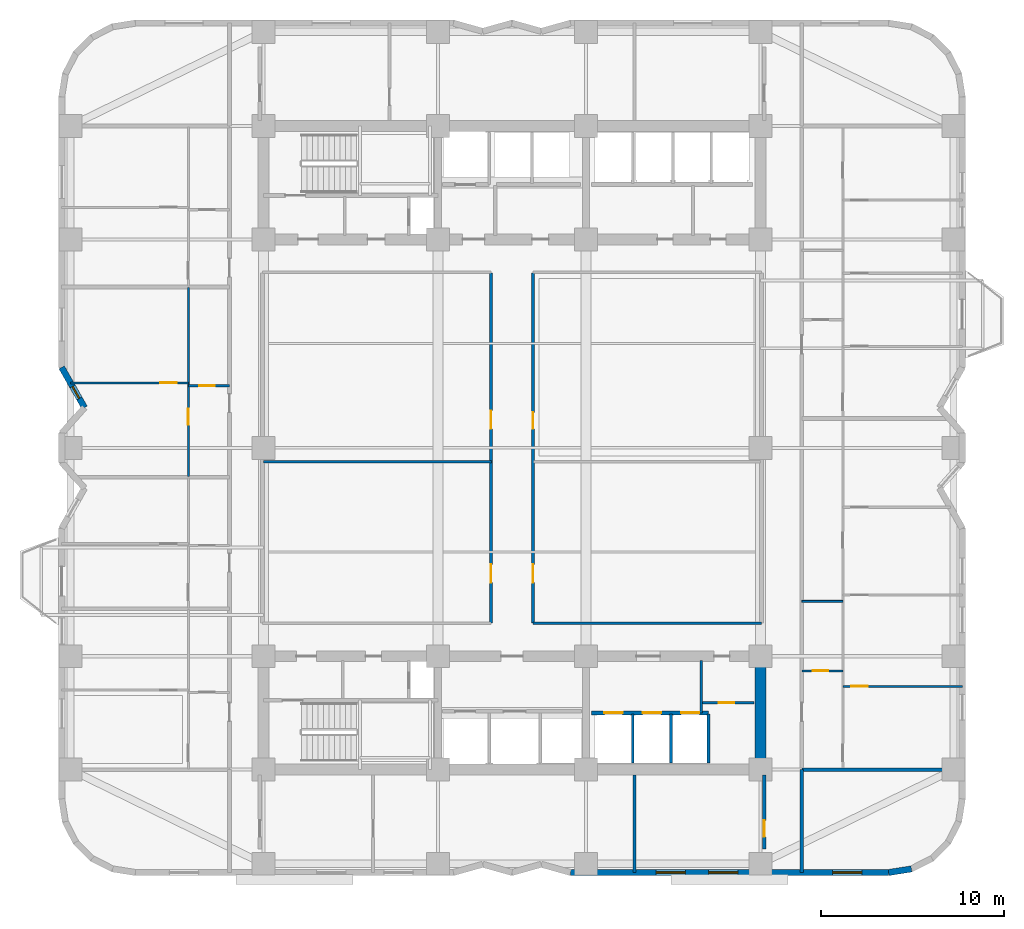
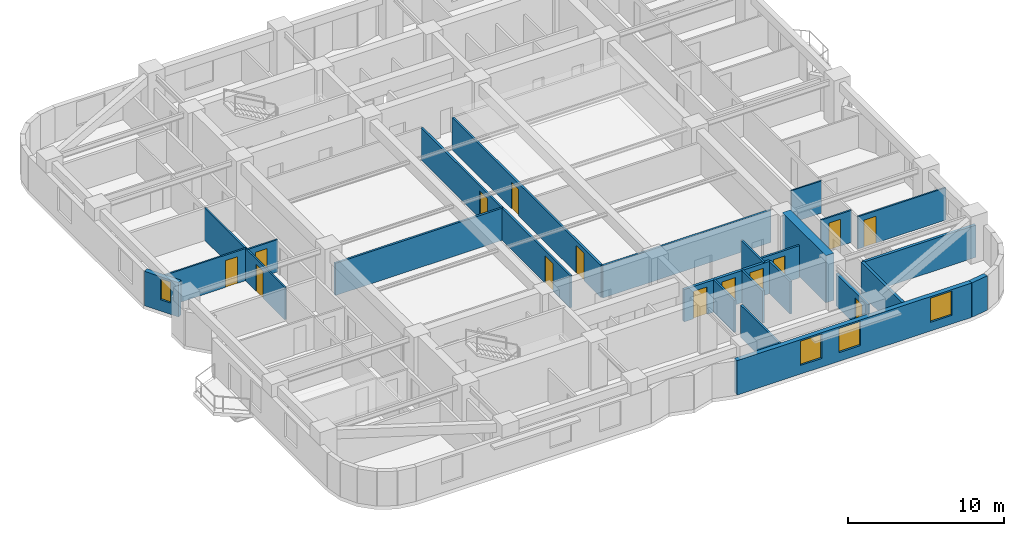
# One storey, part 4 of 9: 24 walls, 14 doors, 4 windows, 18 openings.
"""IFC4 building model written with IfcOpenShell, lengths in metres."""

from ifc_helpers import new_model, si_unit, direction, frame, frame_2d, origin, place, context, subcontext, project, spatial, rectangle, extrude, material, layer, layer_set, type_object, element, fill, save


model = new_model("IFC4")

# Units and contexts
model_context = context("Model", 3, precision=1e-05, world=origin(), true_north=direction((0.0, 1.0)))
body_context = subcontext(model_context, "Body", "Model", "MODEL_VIEW")
ifc_project = project(units=[si_unit("LENGTHUNIT", "METRE"), si_unit("AREAUNIT", "SQUARE_METRE"), si_unit("VOLUMEUNIT", "CUBIC_METRE"), si_unit("PLANEANGLEUNIT", "RADIAN"), si_unit("MASSUNIT", "GRAM", prefix="KILO")], contexts=[model_context])

# Site, building, storey
site_placement = place(None, origin())
site = spatial("IfcSite", under=ifc_project, at=site_placement, CompositionType="ELEMENT")
building_placement = place(site_placement, origin())
building = spatial("IfcBuilding", under=site, at=building_placement, Name="Svetorya Sky Lyceum", CompositionType="ELEMENT")
storey_placement = place(building_placement, frame((0.0, 0.0, 47.300048828125)))
storey = spatial("IfcBuildingStorey", under=building, at=storey_placement, Name="L11", CompositionType="ELEMENT", Elevation=47.300048828125)

# Wall
ifc_material_1 = material(Name="Concrete C60/75", Category="concrete")
ifc_layer_1 = layer(ifc_material_1, 0.60009765625)
ifc_layer_set_1 = layer_set([ifc_layer_1], Name="Concrete C60/75")
wall_type_1 = type_object("IfcWallType", Name="WL-CORE-600", PredefinedType="SHEAR", material=ifc_layer_set_1)
wall_1_placement = place(storey_placement, frame((52.800048828125, 10.89990234375, 0.0), z_axis=(0.0, 0.0, 1.0), x_axis=(0.0, 1.0, 0.0)))
element("IfcWall", 1, at=wall_1_placement, inside=storey, type_object=wall_type_1, Name="L11 SC East Core Shear Wall", PredefinedType="SHEAR", context=body_context, shape_type="SweptSolid", body=[
    extrude(rectangle(XDim=5.60009765625, YDim=0.60009765625, at=frame_2d((2.800048828125, 0.0))), origin(), (0.0, 0.0, 1.0), 3.699951171875),
])

# Wall, openings, windows
ifc_material_2 = material(Name="Putilovo limestone rainscreen on autoclaved cellular masonry", Category="masonry")
ifc_layer_2 = layer(ifc_material_2, 0.340087890625)
ifc_layer_set_2 = layer_set([ifc_layer_2], Name="Putilovo limestone rainscreen on autoclaved cellular masonry")
wall_type_2 = type_object("IfcWallType", Name="WL-EXT-340", PredefinedType="SOLIDWALL", material=ifc_layer_set_2)
wall_2_placement = place(storey_placement, frame((42.39990234375, 4.969970703125, 0.0), z_axis=(0.0, 0.0, 1.0), x_axis=(1.0, 0.0, 0.0)))
wall_2 = element("IfcWall", 2, at=wall_2_placement, inside=storey, type_object=wall_type_2, Name="L11 Limestone Exterior Wall 11M", PredefinedType="SOLIDWALL", context=body_context, shape_type="SweptSolid", body=[
    extrude(rectangle(XDim=17.400146484375, YDim=0.340087890625, at=frame_2d((8.7001953125, 0.0))), origin(), (0.0, 0.0, 1.0), 2.699951171875),
])
opening_1_placement = place(wall_2_placement, frame((4.679931640625, 0.0, 0.679931640625)))
opening_1 = element("IfcOpeningElement", 3, at=opening_1_placement, cuts=wall_2, Name="Opening W-R4", PredefinedType="OPENING", context=body_context, shape_type="SweptSolid", body=[
    extrude(rectangle(XDim=1.60009765625, YDim=1.89990234375, at=frame_2d((0.800048828125, 0.949951171875))), frame((0.0, 0.179931640625, 0.0), z_axis=(0.0, -1.0, 0.0), x_axis=(1.0, 0.0, 0.0)), (0.0, 0.0, 1.0), 0.360107421875),
])
opening_2_placement = place(wall_2_placement, frame((7.550048828125, 0.0, 0.679931640625)))
opening_2 = element("IfcOpeningElement", 4, at=opening_2_placement, cuts=wall_2, Name="Opening W-R4", PredefinedType="OPENING", context=body_context, shape_type="SweptSolid", body=[
    extrude(rectangle(XDim=1.60009765625, YDim=1.89990234375, at=frame_2d((0.800048828125, 0.949951171875))), frame((0.0, 0.179931640625, 0.0), z_axis=(0.0, -1.0, 0.0), x_axis=(1.0, 0.0, 0.0)), (0.0, 0.0, 1.0), 0.360107421875),
])
opening_3_placement = place(wall_2_placement, frame((14.340087890625, 0.0, 0.679931640625)))
opening_3 = element("IfcOpeningElement", 5, at=opening_3_placement, cuts=wall_2, Name="Opening W-R4", PredefinedType="OPENING", context=body_context, shape_type="SweptSolid", body=[
    extrude(rectangle(XDim=1.60009765625, YDim=1.89990234375, at=frame_2d((0.800048828125, 0.949951171875))), frame((0.0, 0.179931640625, 0.0), z_axis=(0.0, -1.0, 0.0), x_axis=(1.0, 0.0, 0.0)), (0.0, 0.0, 1.0), 0.360107421875),
])
ifc_material_3 = material(Name="Thermally broken aluminium frame with triple low-E glazing", Category="aluminium")
window_type_1 = type_object("IfcWindowType", Name="WN-RES-160", PartitioningType="DOUBLE_PANEL_VERTICAL", PredefinedType="WINDOW", material=ifc_material_3)
window_1_placement = place(opening_1_placement, origin())
window_1 = element("IfcWindow", 6, at=window_1_placement, inside=storey, type_object=window_type_1, Name="L11 Facade Window W-R4.11M.1", OverallHeight=1.89990234375, OverallWidth=1.60009765625, PartitioningType="SINGLE_PANEL", PredefinedType="WINDOW", context=body_context, shape_type="SweptSolid", body=[
    extrude(rectangle(XDim=1.60009765625, YDim=1.89990234375, at=frame_2d((0.800048828125, 0.949951171875))), frame((0.0, 0.030029296875, 0.0), z_axis=(0.0, -1.0, 0.0), x_axis=(1.0, 0.0, 0.0)), (0.0, 0.0, 1.0), 0.06005859375),
])
fill(opening_1, window_1)
window_2_placement = place(opening_2_placement, origin())
window_2 = element("IfcWindow", 7, at=window_2_placement, inside=storey, type_object=window_type_1, Name="L11 Facade Window W-R4.11M.2", OverallHeight=1.89990234375, OverallWidth=1.60009765625, PartitioningType="SINGLE_PANEL", PredefinedType="WINDOW", context=body_context, shape_type="SweptSolid", body=[
    extrude(rectangle(XDim=1.60009765625, YDim=1.89990234375, at=frame_2d((0.800048828125, 0.949951171875))), frame((0.0, 0.030029296875, 0.0), z_axis=(0.0, -1.0, 0.0), x_axis=(1.0, 0.0, 0.0)), (0.0, 0.0, 1.0), 0.06005859375),
])
fill(opening_2, window_2)
window_3_placement = place(opening_3_placement, origin())
window_3 = element("IfcWindow", 8, at=window_3_placement, inside=storey, type_object=window_type_1, Name="L11 Facade Window W-R4.11M.3", OverallHeight=1.89990234375, OverallWidth=1.60009765625, PartitioningType="SINGLE_PANEL", PredefinedType="WINDOW", context=body_context, shape_type="SweptSolid", body=[
    extrude(rectangle(XDim=1.60009765625, YDim=1.89990234375, at=frame_2d((0.800048828125, 0.949951171875))), frame((0.0, 0.030029296875, 0.0), z_axis=(0.0, -1.0, 0.0), x_axis=(1.0, 0.0, 0.0)), (0.0, 0.0, 1.0), 0.06005859375),
])
fill(opening_3, window_3)

# Wall
wall_3_placement = place(storey_placement, frame((59.800048828125, 4.969970703125, 0.0), z_axis=(0.0, 0.0, 1.0), x_axis=(0.987685918112, 0.15644975923, 0.0)))
element("IfcWall", 9, at=wall_3_placement, inside=storey, type_object=wall_type_2, Name="L11 Limestone Exterior Wall 12M", PredefinedType="SOLIDWALL", context=body_context, shape_type="SweptSolid", body=[
    extrude(rectangle(XDim=1.260986328125, YDim=0.340087890625, at=frame_2d((0.63037109375, 0.0))), origin(), (0.0, 0.0, 1.0), 2.699951171875),
])

# Wall, opening, window
wall_4_placement = place(storey_placement, frame((14.570068359375, 32.60009765625, 0.0), z_axis=(0.0, 0.0, 1.0), x_axis=(0.493976255291, -0.869475393101, 0.0)))
wall_4 = element("IfcWall", 10, at=wall_4_placement, inside=storey, type_object=wall_type_2, Name="L11 Limestone Exterior Wall 41M", PredefinedType="SOLIDWALL", context=body_context, shape_type="SweptSolid", body=[
    extrude(rectangle(XDim=2.530517578125, YDim=0.340087890625, at=frame_2d((1.26513671875, 0.0))), origin(), (0.0, 0.0, 1.0), 2.699951171875),
])
opening_4_placement = place(wall_4_placement, frame((1.199951171875, 0.0, 0.889892578125)))
opening_4 = element("IfcOpeningElement", 11, at=opening_4_placement, cuts=wall_4, Name="Opening W-R5", PredefinedType="OPENING", context=body_context, shape_type="SweptSolid", body=[
    extrude(rectangle(XDim=0.75, YDim=1.64990234375, at=frame_2d((0.375, 0.824951171875))), frame((0.0, 0.179931640625, 0.0), z_axis=(0.0, -1.0, 0.0), x_axis=(1.0, 0.0, 0.0)), (0.0, 0.0, 1.0), 0.360107421875),
])
window_type_2 = type_object("IfcWindowType", Name="WN-RES-075", PartitioningType="SINGLE_PANEL", PredefinedType="WINDOW", material=ifc_material_3)
window_4_placement = place(opening_4_placement, origin())
window_4 = element("IfcWindow", 12, at=window_4_placement, inside=storey, type_object=window_type_2, Name="L11 Facade Window W-R5.41M.1", OverallHeight=1.64990234375, OverallWidth=0.75, PartitioningType="SINGLE_PANEL", PredefinedType="WINDOW", context=body_context, shape_type="SweptSolid", body=[
    extrude(rectangle(XDim=0.75, YDim=1.64990234375, at=frame_2d((0.375, 0.824951171875))), frame((0.0, 0.030029296875, 0.0), z_axis=(0.0, -1.0, 0.0), x_axis=(1.0, 0.0, 0.0)), (0.0, 0.0, 1.0), 0.06005859375),
])
fill(opening_4, window_4)

# Wall
ifc_material_4 = material(Name="Galvanized stud partition with moisture-resistant board", Category="gypsum")
ifc_layer_3 = layer(ifc_material_4, 0.10009765625)
ifc_layer_set_3 = layer_set([ifc_layer_3], Name="Galvanized stud partition with moisture-resistant board")
wall_type_3 = type_object("IfcWallType", Name="WL-PART-100", PredefinedType="PARTITIONING", material=ifc_layer_set_3)
wall_5_placement = place(storey_placement, frame((55.050048828125, 19.800048828125, 0.0), z_axis=(0.0, 0.0, 1.0), x_axis=(1.0, 0.0, 0.0)))
element("IfcWall", 13, at=wall_5_placement, inside=storey, type_object=wall_type_3, Name="L11 Interior Partition E1-WH2", PredefinedType="PARTITIONING", context=body_context, shape_type="SweptSolid", body=[
    extrude(rectangle(XDim=2.25, YDim=0.10009765625, at=frame_2d((1.125, 0.0))), origin(), (0.0, 0.0, 1.0), 2.530029296875),
])

# Wall, opening, door
ifc_material_5 = material(Name="Twin-stud galvanized framing with double fireboard", Category="gypsum")
ifc_layer_4 = layer(ifc_material_5, 0.1201171875)
ifc_layer_set_4 = layer_set([ifc_layer_4], Name="Twin-stud galvanized framing with double fireboard")
wall_type_4 = type_object("IfcWallType", Name="WL-PART-120", PredefinedType="PARTITIONING", material=ifc_layer_set_4)
wall_6_placement = place(storey_placement, frame((21.5, 31.590087890625, 0.0), z_axis=(0.0, 0.0, 1.0), x_axis=(1.0, 0.0, 0.0)))
wall_6 = element("IfcWall", 14, at=wall_6_placement, inside=storey, type_object=wall_type_4, Name="L11 Interior Partition W3-WH1", PredefinedType="PARTITIONING", context=body_context, shape_type="SweptSolid", body=[
    extrude(rectangle(XDim=2.25, YDim=0.1201171875, at=frame_2d((1.125, 0.0))), origin(), (0.0, 0.0, 1.0), 2.530029296875),
])
opening_5_placement = place(wall_6_placement, frame((0.60009765625, 0.0, 0.0)))
opening_5 = element("IfcOpeningElement", 15, at=opening_5_placement, cuts=wall_6, Name="Opening D-BT1", PredefinedType="OPENING", context=body_context, shape_type="SweptSolid", body=[
    extrude(rectangle(XDim=0.85009765625, YDim=2.10009765625, at=frame_2d((0.425048828125, 1.050048828125))), frame((0.0, 0.070068359375, 0.0), z_axis=(0.0, -1.0, 0.0), x_axis=(1.0, 0.0, 0.0)), (0.0, 0.0, 1.0), 0.14013671875),
])
ifc_material_6 = material(Name="Moisture-resistant laminate bathroom door")
door_type_1 = type_object("IfcDoorType", Name="DR-WET-850", OperationType="SINGLE_SWING_LEFT", PredefinedType="DOOR", material=ifc_material_6)
door_1_placement = place(opening_5_placement, origin())
door_1 = element("IfcDoor", 16, at=door_1_placement, inside=storey, type_object=door_type_1, Name="Apartment W3 Bathroom Door", OperationType="SINGLE_SWING_LEFT", OverallHeight=2.10009765625, OverallWidth=0.85009765625, PredefinedType="DOOR", context=body_context, shape_type="SweptSolid", body=[
    extrude(rectangle(XDim=0.85009765625, YDim=2.10009765625, at=frame_2d((0.425048828125, 1.050048828125))), frame((0.0, 0.02490234375, 0.0), z_axis=(0.0, -1.0, 0.0), x_axis=(1.0, 0.0, 0.0)), (0.0, 0.0, 1.0), 0.050048828125),
])
fill(opening_5, door_1)

wall_7_placement = place(storey_placement, frame((15.052978515625, 31.75, 0.0), z_axis=(0.0, 0.0, 1.0), x_axis=(1.0, 0.0, 0.0)))
wall_7 = element("IfcWall", 17, at=wall_7_placement, inside=storey, type_object=wall_type_4, Name="L11 Interior Partition W3-WL1", PredefinedType="PARTITIONING", context=body_context, shape_type="SweptSolid", body=[
    extrude(rectangle(XDim=6.447021484375, YDim=0.1201171875, at=frame_2d((3.2236328125, 0.0))), origin(), (0.0, 0.0, 1.0), 2.530029296875),
])
opening_6_placement = place(wall_7_placement, frame((4.89697265625, 0.0, 0.0)))
opening_6 = element("IfcOpeningElement", 18, at=opening_6_placement, cuts=wall_7, Name="Opening D-RM1", PredefinedType="OPENING", context=body_context, shape_type="SweptSolid", body=[
    extrude(rectangle(XDim=0.89990234375, YDim=2.10009765625, at=frame_2d((0.449951171875, 1.050048828125))), frame((0.0, 0.070068359375, 0.0), z_axis=(0.0, -1.0, 0.0), x_axis=(1.0, 0.0, 0.0)), (0.0, 0.0, 1.0), 0.14013671875),
])
ifc_material_7 = material(Name="Lacquered birch veneer internal door")
door_type_2 = type_object("IfcDoorType", Name="DR-INT-900", OperationType="SINGLE_SWING_LEFT", PredefinedType="DOOR", material=ifc_material_7)
door_2_placement = place(opening_6_placement, origin())
door_2 = element("IfcDoor", 19, at=door_2_placement, inside=storey, type_object=door_type_2, Name="Apartment W3 Bedroom 1 Door", OperationType="SINGLE_SWING_LEFT", OverallHeight=2.10009765625, OverallWidth=0.89990234375, PredefinedType="DOOR", context=body_context, shape_type="SweptSolid", body=[
    extrude(rectangle(XDim=0.89990234375, YDim=2.10009765625, at=frame_2d((0.449951171875, 1.050048828125))), frame((0.0, 0.02490234375, 0.0), z_axis=(0.0, -1.0, 0.0), x_axis=(1.0, 0.0, 0.0)), (0.0, 0.0, 1.0), 0.050048828125),
])
fill(opening_6, door_2)

wall_8_placement = place(storey_placement, frame((21.5, 26.639892578125, 0.0), z_axis=(0.0, 0.0, 1.0), x_axis=(0.0, 1.0, 0.0)))
wall_8 = element("IfcWall", 20, at=wall_8_placement, inside=storey, type_object=wall_type_4, Name="L11 Interior Partition W3-WV", PredefinedType="PARTITIONING", context=body_context, shape_type="SweptSolid", body=[
    extrude(rectangle(XDim=10.320068359375, YDim=0.1201171875, at=frame_2d((5.16015625, 0.0))), origin(), (0.0, 0.0, 1.0), 2.530029296875),
])
opening_7_placement = place(wall_8_placement, frame((2.81005859375, 0.0, 0.0)))
opening_7 = element("IfcOpeningElement", 21, at=opening_7_placement, cuts=wall_8, Name="Opening D-RM1", PredefinedType="OPENING", context=body_context, shape_type="SweptSolid", body=[
    extrude(rectangle(XDim=0.89990234375, YDim=2.10009765625, at=frame_2d((0.449951171875, 1.050048828125))), frame((0.0, 0.070068359375, 0.0), z_axis=(0.0, -1.0, 0.0), x_axis=(1.0, 0.0, 0.0)), (0.0, 0.0, 1.0), 0.14013671875),
])
door_3_placement = place(opening_7_placement, origin())
door_3 = element("IfcDoor", 22, at=door_3_placement, inside=storey, type_object=door_type_2, Name="Apartment W3 Living Door", OperationType="SINGLE_SWING_RIGHT", OverallHeight=2.10009765625, OverallWidth=0.89990234375, PredefinedType="DOOR", context=body_context, shape_type="SweptSolid", body=[
    extrude(rectangle(XDim=0.89990234375, YDim=2.10009765625, at=frame_2d((0.449951171875, 1.050048828125))), frame((0.0, 0.02490234375, 0.0), z_axis=(0.0, -1.0, 0.0), x_axis=(1.0, 0.0, 0.0)), (0.0, 0.0, 1.0), 0.050048828125),
])
fill(opening_7, door_3)

wall_9_placement = place(storey_placement, frame((55.050048828125, 16.0, 0.0), z_axis=(0.0, 0.0, 1.0), x_axis=(1.0, 0.0, 0.0)))
wall_9 = element("IfcWall", 23, at=wall_9_placement, inside=storey, type_object=wall_type_4, Name="L11 Interior Partition E1-WH1", PredefinedType="PARTITIONING", context=body_context, shape_type="SweptSolid", body=[
    extrude(rectangle(XDim=2.25, YDim=0.1201171875, at=frame_2d((1.125, 0.0))), origin(), (0.0, 0.0, 1.0), 2.530029296875),
])
opening_8_placement = place(wall_9_placement, frame((0.60009765625, 0.0, 0.0)))
opening_8 = element("IfcOpeningElement", 24, at=opening_8_placement, cuts=wall_9, Name="Opening D-BT1", PredefinedType="OPENING", context=body_context, shape_type="SweptSolid", body=[
    extrude(rectangle(XDim=0.85009765625, YDim=2.10009765625, at=frame_2d((0.425048828125, 1.050048828125))), frame((0.0, 0.070068359375, 0.0), z_axis=(0.0, -1.0, 0.0), x_axis=(1.0, 0.0, 0.0)), (0.0, 0.0, 1.0), 0.14013671875),
])
door_4_placement = place(opening_8_placement, origin())
door_4 = element("IfcDoor", 25, at=door_4_placement, inside=storey, type_object=door_type_1, Name="Apartment E1 Bathroom Door", OperationType="SINGLE_SWING_RIGHT", OverallHeight=2.10009765625, OverallWidth=0.85009765625, PredefinedType="DOOR", context=body_context, shape_type="SweptSolid", body=[
    extrude(rectangle(XDim=0.85009765625, YDim=2.10009765625, at=frame_2d((0.425048828125, 1.050048828125))), frame((0.0, 0.02490234375, 0.0), z_axis=(0.0, -1.0, 0.0), x_axis=(1.0, 0.0, 0.0)), (0.0, 0.0, 1.0), 0.050048828125),
])
fill(opening_8, door_4)

wall_10_placement = place(storey_placement, frame((57.300048828125, 15.14990234375, 0.0), z_axis=(0.0, 0.0, 1.0), x_axis=(1.0, 0.0, 0.0)))
wall_10 = element("IfcWall", 26, at=wall_10_placement, inside=storey, type_object=wall_type_4, Name="L11 Interior Partition E1-WL1", PredefinedType="PARTITIONING", context=body_context, shape_type="SweptSolid", body=[
    extrude(rectangle(XDim=6.530029296875, YDim=0.1201171875, at=frame_2d((3.26513671875, 0.0))), origin(), (0.0, 0.0, 1.0), 2.530029296875),
])
opening_9_placement = place(wall_10_placement, frame((0.449951171875, 0.0, 0.0)))
opening_9 = element("IfcOpeningElement", 27, at=opening_9_placement, cuts=wall_10, Name="Opening D-RM1", PredefinedType="OPENING", context=body_context, shape_type="SweptSolid", body=[
    extrude(rectangle(XDim=0.89990234375, YDim=2.10009765625, at=frame_2d((0.449951171875, 1.050048828125))), frame((0.0, 0.070068359375, 0.0), z_axis=(0.0, -1.0, 0.0), x_axis=(1.0, 0.0, 0.0)), (0.0, 0.0, 1.0), 0.14013671875),
])
door_5_placement = place(opening_9_placement, origin())
door_5 = element("IfcDoor", 28, at=door_5_placement, inside=storey, type_object=door_type_2, Name="Apartment E1 Master Bedroom Door", OperationType="SINGLE_SWING_RIGHT", OverallHeight=2.10009765625, OverallWidth=0.89990234375, PredefinedType="DOOR", context=body_context, shape_type="SweptSolid", body=[
    extrude(rectangle(XDim=0.89990234375, YDim=2.10009765625, at=frame_2d((0.449951171875, 1.050048828125))), frame((0.0, 0.02490234375, 0.0), z_axis=(0.0, -1.0, 0.0), x_axis=(1.0, 0.0, 0.0)), (0.0, 0.0, 1.0), 0.050048828125),
])
fill(opening_9, door_5)

# Walls
ifc_material_8 = material(Name="Autoclaved cellular masonry blockwork with acoustic render", Category="masonry")
ifc_layer_5 = layer(ifc_material_8, 0.14990234375)
ifc_layer_set_5 = layer_set([ifc_layer_5], Name="Autoclaved cellular masonry blockwork with acoustic render")
wall_type_5 = type_object("IfcWallType", Name="WL-PART-150", PredefinedType="PARTITIONING", material=ifc_layer_set_5)
for number, where, z_axis, x_axis, name in (
    (29, (45.800048828125, 10.949951171875, 0.0), (0.0, 0.0, 1.0), (0.0, 1.0, 0.0), "L11 Interior Partition SC-PL-DIV1"),
    (30, (47.89990234375, 10.949951171875, 0.0), (0.0, 0.0, 1.0), (0.0, 1.0, 0.0), "L11 Interior Partition SC-PL-DIV2"),
    (31, (49.949951171875, 10.949951171875, 0.0), (0.0, 0.0, 1.0), (0.0, 1.0, 0.0), "L11 Interior Partition SC-PL-END"),
):
    element("IfcWall", number, at=place(storey_placement, frame(where, z_axis=z_axis, x_axis=x_axis)), inside=storey, type_object=wall_type_5, Name=name, PredefinedType="PARTITIONING", context=body_context, shape_type="SweptSolid", body=[
        extrude(rectangle(XDim=2.699951171875, YDim=0.14990234375, at=frame_2d((1.35009765625, 0.0))), origin(), (0.0, 0.0, 1.0), 2.530029296875),
    ])
wall_11_placement = place(storey_placement, frame((49.550048828125, 13.699951171875, 0.0), z_axis=(0.0, 0.0, 1.0), x_axis=(0.0, 1.0, 0.0)))
element("IfcWall", 32, at=wall_11_placement, inside=storey, type_object=wall_type_5, Name="L11 Interior Partition SC-AUX-V", PredefinedType="PARTITIONING", context=body_context, shape_type="SweptSolid", body=[
    extrude(rectangle(XDim=2.880126953125, YDim=0.14990234375, at=frame_2d((1.43994140625, 0.0))), origin(), (0.0, 0.0, 1.0), 2.530029296875),
])

# Wall, opening, door
wall_12_placement = place(storey_placement, frame((49.60009765625, 14.25, 0.0), z_axis=(0.0, 0.0, 1.0), x_axis=(1.0, 0.0, 0.0)))
wall_12 = element("IfcWall", 33, at=wall_12_placement, inside=storey, type_object=wall_type_5, Name="L11 Interior Partition SC-AUX-H2", PredefinedType="PARTITIONING", context=body_context, shape_type="SweptSolid", body=[
    extrude(rectangle(XDim=2.849853515625, YDim=0.14990234375, at=frame_2d((1.4248046875, 0.0))), origin(), (0.0, 0.0, 1.0), 2.530029296875),
])
opening_10_placement = place(wall_12_placement, frame((0.89990234375, 0.0, 0.0)))
opening_10 = element("IfcOpeningElement", 34, at=opening_10_placement, cuts=wall_12, Name="Opening D-CWC1", PredefinedType="OPENING", context=body_context, shape_type="SweptSolid", body=[
    extrude(rectangle(XDim=0.85009765625, YDim=2.10009765625, at=frame_2d((0.425048828125, 1.050048828125))), frame((0.0, 0.0849609375, 0.0), z_axis=(0.0, -1.0, 0.0), x_axis=(1.0, 0.0, 0.0)), (0.0, 0.0, 1.0), 0.169921875),
])
ifc_material_9 = material(Name="Fire-rated galvanized steel core service closet door", Category="steel")
door_type_3 = type_object("IfcDoorType", Name="DR-CWET-850", OperationType="SINGLE_SWING_LEFT", PredefinedType="DOOR", material=ifc_material_9)
door_6_placement = place(opening_10_placement, origin())
door_6 = element("IfcDoor", 35, at=door_6_placement, inside=storey, type_object=door_type_3, Name="L11 South Telecom Room Door", OperationType="SINGLE_SWING_RIGHT", OverallHeight=2.10009765625, OverallWidth=0.85009765625, PredefinedType="DOOR", context=body_context, shape_type="SweptSolid", body=[
    extrude(rectangle(XDim=0.85009765625, YDim=2.10009765625, at=frame_2d((0.425048828125, 1.050048828125))), frame((0.0, 0.02490234375, 0.0), z_axis=(0.0, -1.0, 0.0), x_axis=(1.0, 0.0, 0.0)), (0.0, 0.0, 1.0), 0.050048828125),
])
fill(opening_10, door_6)

# Walls
wall_13_placement = place(storey_placement, frame((40.35009765625, 18.60009765625, 0.0), z_axis=(0.0, 0.0, 1.0), x_axis=(1.0, 0.0, 0.0)))
element("IfcWall", 36, at=wall_13_placement, inside=storey, type_object=wall_type_5, Name="L11 Interior Partition CS-MID-E", PredefinedType="PARTITIONING", context=body_context, shape_type="SweptSolid", body=[
    extrude(rectangle(XDim=12.5, YDim=0.14990234375, at=frame_2d((6.25, 0.0))), origin(), (0.0, 0.0, 1.0), 2.530029296875),
])
wall_14_placement = place(storey_placement, frame((25.60009765625, 27.434326171875, 0.0), z_axis=(0.0, 0.0, 1.0), x_axis=(1.0, 0.0, 0.0)))
element("IfcWall", 37, at=wall_14_placement, inside=storey, type_object=wall_type_5, Name="L11 Interior Partition CEN-HW", PredefinedType="PARTITIONING", context=body_context, shape_type="SweptSolid", body=[
    extrude(rectangle(XDim=12.469970703125, YDim=0.14990234375, at=frame_2d((6.23486328125, 0.0))), origin(), (0.0, 0.0, 1.0), 2.530029296875),
])

# Wall, openings, doors
wall_15_placement = place(storey_placement, frame((38.050048828125, 18.6298828125, 0.0), z_axis=(0.0, 0.0, 1.0), x_axis=(0.0, 1.0, 0.0)))
wall_15 = element("IfcWall", 38, at=wall_15_placement, inside=storey, type_object=wall_type_5, Name="L11 Interior Partition CEN-VW", PredefinedType="PARTITIONING", context=body_context, shape_type="SweptSolid", body=[
    extrude(rectangle(XDim=19.14013671875, YDim=0.14990234375, at=frame_2d((9.570068359375, 0.0))), origin(), (0.0, 0.0, 1.0), 2.530029296875),
])
opening_11_placement = place(wall_15_placement, frame((2.199951171875, 0.0, 0.0)))
opening_11 = element("IfcOpeningElement", 39, at=opening_11_placement, cuts=wall_15, Name="Opening D-RM2", PredefinedType="OPENING", context=body_context, shape_type="SweptSolid", body=[
    extrude(rectangle(XDim=1.0, YDim=2.14990234375, at=frame_2d((0.5, 1.074951171875))), frame((0.0, 0.0849609375, 0.0), z_axis=(0.0, -1.0, 0.0), x_axis=(1.0, 0.0, 0.0)), (0.0, 0.0, 1.0), 0.169921875),
])
opening_12_placement = place(wall_15_placement, frame((10.6044921875, 0.0, 0.0)))
opening_12 = element("IfcOpeningElement", 40, at=opening_12_placement, cuts=wall_15, Name="Opening D-RM2", PredefinedType="OPENING", context=body_context, shape_type="SweptSolid", body=[
    extrude(rectangle(XDim=1.0, YDim=2.14990234375, at=frame_2d((0.5, 1.074951171875))), frame((0.0, 0.0849609375, 0.0), z_axis=(0.0, -1.0, 0.0), x_axis=(1.0, 0.0, 0.0)), (0.0, 0.0, 1.0), 0.169921875),
])
ifc_material_10 = material(Name="Solid-core oak acoustic room door")
door_type_4 = type_object("IfcDoorType", Name="DR-INT-1000", OperationType="SINGLE_SWING_LEFT", PredefinedType="DOOR", material=ifc_material_10)
door_7_placement = place(opening_11_placement, origin())
door_7 = element("IfcDoor", 41, at=door_7_placement, inside=storey, type_object=door_type_4, Name="L11 Meeting Door", OperationType="SINGLE_SWING_LEFT", OverallHeight=2.14990234375, OverallWidth=1.0, PredefinedType="DOOR", context=body_context, shape_type="SweptSolid", body=[
    extrude(rectangle(XDim=1.0, YDim=2.14990234375, at=frame_2d((0.5, 1.074951171875))), frame((0.0, 0.02490234375, 0.0), z_axis=(0.0, -1.0, 0.0), x_axis=(1.0, 0.0, 0.0)), (0.0, 0.0, 1.0), 0.050048828125),
])
fill(opening_11, door_7)
door_8_placement = place(opening_12_placement, origin())
door_8 = element("IfcDoor", 42, at=door_8_placement, inside=storey, type_object=door_type_4, Name="L11 Focus Door", OperationType="SINGLE_SWING_RIGHT", OverallHeight=2.14990234375, OverallWidth=1.0, PredefinedType="DOOR", context=body_context, shape_type="SweptSolid", body=[
    extrude(rectangle(XDim=1.0, YDim=2.14990234375, at=frame_2d((0.5, 1.074951171875))), frame((0.0, 0.02490234375, 0.0), z_axis=(0.0, -1.0, 0.0), x_axis=(1.0, 0.0, 0.0)), (0.0, 0.0, 1.0), 0.050048828125),
])
fill(opening_12, door_8)

wall_16_placement = place(storey_placement, frame((40.35009765625, 18.6298828125, 0.0), z_axis=(0.0, 0.0, 1.0), x_axis=(0.0, 1.0, 0.0)))
wall_16 = element("IfcWall", 43, at=wall_16_placement, inside=storey, type_object=wall_type_5, Name="L11 Interior Partition CEN-VE", PredefinedType="PARTITIONING", context=body_context, shape_type="SweptSolid", body=[
    extrude(rectangle(XDim=19.14013671875, YDim=0.14990234375, at=frame_2d((9.570068359375, 0.0))), origin(), (0.0, 0.0, 1.0), 2.530029296875),
])
opening_13_placement = place(wall_16_placement, frame((2.199951171875, 0.0, 0.0)))
opening_13 = element("IfcOpeningElement", 44, at=opening_13_placement, cuts=wall_16, Name="Opening D-RM2", PredefinedType="OPENING", context=body_context, shape_type="SweptSolid", body=[
    extrude(rectangle(XDim=1.0, YDim=2.14990234375, at=frame_2d((0.5, 1.074951171875))), frame((0.0, 0.0849609375, 0.0), z_axis=(0.0, -1.0, 0.0), x_axis=(1.0, 0.0, 0.0)), (0.0, 0.0, 1.0), 0.169921875),
])
opening_14_placement = place(wall_16_placement, frame((10.6044921875, 0.0, 0.0)))
opening_14 = element("IfcOpeningElement", 45, at=opening_14_placement, cuts=wall_16, Name="Opening D-RM1", PredefinedType="OPENING", context=body_context, shape_type="SweptSolid", body=[
    extrude(rectangle(XDim=0.89990234375, YDim=2.10009765625, at=frame_2d((0.449951171875, 1.050048828125))), frame((0.0, 0.0849609375, 0.0), z_axis=(0.0, -1.0, 0.0), x_axis=(1.0, 0.0, 0.0)), (0.0, 0.0, 1.0), 0.169921875),
])
door_9_placement = place(opening_13_placement, origin())
door_9 = element("IfcDoor", 46, at=door_9_placement, inside=storey, type_object=door_type_4, Name="L11 Office Door", OperationType="SINGLE_SWING_RIGHT", OverallHeight=2.14990234375, OverallWidth=1.0, PredefinedType="DOOR", context=body_context, shape_type="SweptSolid", body=[
    extrude(rectangle(XDim=1.0, YDim=2.14990234375, at=frame_2d((0.5, 1.074951171875))), frame((0.0, 0.02490234375, 0.0), z_axis=(0.0, -1.0, 0.0), x_axis=(1.0, 0.0, 0.0)), (0.0, 0.0, 1.0), 0.050048828125),
])
fill(opening_13, door_9)
door_10_placement = place(opening_14_placement, origin())
door_10 = element("IfcDoor", 47, at=door_10_placement, inside=storey, type_object=door_type_2, Name="L11 Pantry Door", OperationType="SINGLE_SWING_LEFT", OverallHeight=2.10009765625, OverallWidth=0.89990234375, PredefinedType="DOOR", context=body_context, shape_type="SweptSolid", body=[
    extrude(rectangle(XDim=0.89990234375, YDim=2.10009765625, at=frame_2d((0.449951171875, 1.050048828125))), frame((0.0, 0.02490234375, 0.0), z_axis=(0.0, -1.0, 0.0), x_axis=(1.0, 0.0, 0.0)), (0.0, 0.0, 1.0), 0.050048828125),
])
fill(opening_14, door_10)

# Wall
wall_17_placement = place(storey_placement, frame((45.89990234375, 4.969970703125, 0.0), z_axis=(0.0, 0.0, 1.0), x_axis=(0.0, 1.0, 0.0)))
element("IfcWall", 48, at=wall_17_placement, inside=storey, type_object=wall_type_5, Name="L11 Interior Partition S-D2", PredefinedType="PARTITIONING", context=body_context, shape_type="SweptSolid", body=[
    extrude(rectangle(XDim=5.330078125, YDim=0.14990234375, at=frame_2d((2.6650390625, 0.0))), origin(), (0.0, 0.0, 1.0), 2.530029296875),
])

# Wall, openings, doors
ifc_material_11 = material(Name="Autoclaved cellular masonry blockwork with gypsum plaster", Category="masonry")
ifc_layer_6 = layer(ifc_material_11, 0.199951171875)
ifc_layer_set_6 = layer_set([ifc_layer_6], Name="Autoclaved cellular masonry blockwork with gypsum plaster")
wall_type_6 = type_object("IfcWallType", Name="WL-PART-200", PredefinedType="PARTITIONING", material=ifc_layer_set_6)
wall_18_placement = place(storey_placement, frame((43.550048828125, 13.699951171875, 0.0), z_axis=(0.0, 0.0, 1.0), x_axis=(1.0, 0.0, 0.0)))
wall_18 = element("IfcWall", 49, at=wall_18_placement, inside=storey, type_object=wall_type_6, Name="L11 Interior Partition SC-PLW", PredefinedType="PARTITIONING", context=body_context, shape_type="SweptSolid", body=[
    extrude(rectangle(XDim=6.39990234375, YDim=0.199951171875, at=frame_2d((3.199951171875, 0.0))), origin(), (0.0, 0.0, 1.0), 2.530029296875),
])
opening_15_placement = place(wall_18_placement, frame((0.699951171875, 0.0, 0.0)))
opening_15 = element("IfcOpeningElement", 50, at=opening_15_placement, cuts=wall_18, Name="Opening LD-P1", PredefinedType="OPENING", context=body_context, shape_type="SweptSolid", body=[
    extrude(rectangle(XDim=1.0, YDim=2.14990234375, at=frame_2d((0.5, 1.074951171875))), frame((0.0, 0.10986328125, 0.0), z_axis=(0.0, -1.0, 0.0), x_axis=(1.0, 0.0, 0.0)), (0.0, 0.0, 1.0), 0.219970703125),
])
opening_16_placement = place(wall_18_placement, frame((2.800048828125, 0.0, 0.0)))
opening_16 = element("IfcOpeningElement", 51, at=opening_16_placement, cuts=wall_18, Name="Opening LD-P1", PredefinedType="OPENING", context=body_context, shape_type="SweptSolid", body=[
    extrude(rectangle(XDim=1.0, YDim=2.14990234375, at=frame_2d((0.5, 1.074951171875))), frame((0.0, 0.10986328125, 0.0), z_axis=(0.0, -1.0, 0.0), x_axis=(1.0, 0.0, 0.0)), (0.0, 0.0, 1.0), 0.219970703125),
])
opening_17_placement = place(wall_18_placement, frame((4.89990234375, 0.0, 0.0)))
opening_17 = element("IfcOpeningElement", 52, at=opening_17_placement, cuts=wall_18, Name="Opening LD-P1", PredefinedType="OPENING", context=body_context, shape_type="SweptSolid", body=[
    extrude(rectangle(XDim=1.0, YDim=2.14990234375, at=frame_2d((0.5, 1.074951171875))), frame((0.0, 0.10986328125, 0.0), z_axis=(0.0, -1.0, 0.0), x_axis=(1.0, 0.0, 0.0)), (0.0, 0.0, 1.0), 0.219970703125),
])
ifc_material_12 = material(Name="Champagne-anodized stainless passenger lift landing door")
door_type_5 = type_object("IfcDoorType", Name="DR-LIFT-1000", OperationType="SLIDING_TO_LEFT", PredefinedType="DOOR", material=ifc_material_12)
door_11_placement = place(opening_15_placement, origin())
door_11 = element("IfcDoor", 53, at=door_11_placement, inside=storey, type_object=door_type_5, Name="L11 Passenger Lift PL1 Landing Door", OperationType="SLIDING_TO_LEFT", OverallHeight=2.14990234375, OverallWidth=1.0, PredefinedType="DOOR", context=body_context, shape_type="SweptSolid", body=[
    extrude(rectangle(XDim=1.0, YDim=2.14990234375, at=frame_2d((0.5, 1.074951171875))), frame((0.0, 0.02490234375, 0.0), z_axis=(0.0, -1.0, 0.0), x_axis=(1.0, 0.0, 0.0)), (0.0, 0.0, 1.0), 0.050048828125),
])
fill(opening_15, door_11)
door_12_placement = place(opening_16_placement, origin())
door_12 = element("IfcDoor", 54, at=door_12_placement, inside=storey, type_object=door_type_5, Name="L11 Passenger Lift PL2 Landing Door", OperationType="SLIDING_TO_LEFT", OverallHeight=2.14990234375, OverallWidth=1.0, PredefinedType="DOOR", context=body_context, shape_type="SweptSolid", body=[
    extrude(rectangle(XDim=1.0, YDim=2.14990234375, at=frame_2d((0.5, 1.074951171875))), frame((0.0, 0.02490234375, 0.0), z_axis=(0.0, -1.0, 0.0), x_axis=(1.0, 0.0, 0.0)), (0.0, 0.0, 1.0), 0.050048828125),
])
fill(opening_16, door_12)
door_13_placement = place(opening_17_placement, origin())
door_13 = element("IfcDoor", 55, at=door_13_placement, inside=storey, type_object=door_type_5, Name="L11 Passenger Lift PL3 Landing Door", OperationType="SLIDING_TO_LEFT", OverallHeight=2.14990234375, OverallWidth=1.0, PredefinedType="DOOR", context=body_context, shape_type="SweptSolid", body=[
    extrude(rectangle(XDim=1.0, YDim=2.14990234375, at=frame_2d((0.5, 1.074951171875))), frame((0.0, 0.02490234375, 0.0), z_axis=(0.0, -1.0, 0.0), x_axis=(1.0, 0.0, 0.0)), (0.0, 0.0, 1.0), 0.050048828125),
])
fill(opening_17, door_13)

# Walls
wall_19_placement = place(storey_placement, frame((55.050048828125, 10.60009765625, 0.0), z_axis=(0.0, 0.0, 1.0), x_axis=(1.0, 0.0, 0.0)))
element("IfcWall", 56, at=wall_19_placement, inside=storey, type_object=wall_type_6, Name="L11 Interior Partition E-CAP-S", PredefinedType="PARTITIONING", context=body_context, shape_type="SweptSolid", body=[
    extrude(rectangle(XDim=8.35986328125, YDim=0.199951171875, at=frame_2d((4.179931640625, 0.0))), origin(), (0.0, 0.0, 1.0), 2.530029296875),
])
wall_20_placement = place(storey_placement, frame((55.050048828125, 4.969970703125, 0.0), z_axis=(0.0, 0.0, 1.0), x_axis=(0.0, 1.0, 0.0)))
element("IfcWall", 57, at=wall_20_placement, inside=storey, type_object=wall_type_6, Name="L11 Interior Partition EC-SE-END", PredefinedType="PARTITIONING", context=body_context, shape_type="SweptSolid", body=[
    extrude(rectangle(XDim=5.630126953125, YDim=0.199951171875, at=frame_2d((2.81494140625, 0.0))), origin(), (0.0, 0.0, 1.0), 2.530029296875),
])

# Wall, opening, door
wall_21_placement = place(storey_placement, frame((53.0, 6.27001953125, 0.0), z_axis=(0.0, 0.0, 1.0), x_axis=(0.0, 1.0, 0.0)))
wall_21 = element("IfcWall", 58, at=wall_21_placement, inside=storey, type_object=wall_type_6, Name="L11 Interior Partition S-EE", PredefinedType="PARTITIONING", context=body_context, shape_type="SweptSolid", body=[
    extrude(rectangle(XDim=4.030029296875, YDim=0.199951171875, at=frame_2d((2.01513671875, 0.0))), origin(), (0.0, 0.0, 1.0), 2.530029296875),
])
opening_18_placement = place(wall_21_placement, frame((0.64990234375, 0.0, 0.0)))
opening_18 = element("IfcOpeningElement", 59, at=opening_18_placement, cuts=wall_21, Name="Opening D-RM1", PredefinedType="OPENING", context=body_context, shape_type="SweptSolid", body=[
    extrude(rectangle(XDim=0.89990234375, YDim=2.10009765625, at=frame_2d((0.449951171875, 1.050048828125))), frame((0.0, 0.10986328125, 0.0), z_axis=(0.0, -1.0, 0.0), x_axis=(1.0, 0.0, 0.0)), (0.0, 0.0, 1.0), 0.219970703125),
])
door_14_placement = place(opening_18_placement, origin())
door_14 = element("IfcDoor", 60, at=door_14_placement, inside=storey, type_object=door_type_2, Name="L11 South Focus Door", OperationType="SINGLE_SWING_RIGHT", OverallHeight=2.10009765625, OverallWidth=0.89990234375, PredefinedType="DOOR", context=body_context, shape_type="SweptSolid", body=[
    extrude(rectangle(XDim=0.89990234375, YDim=2.10009765625, at=frame_2d((0.449951171875, 1.050048828125))), frame((0.0, 0.02490234375, 0.0), z_axis=(0.0, -1.0, 0.0), x_axis=(1.0, 0.0, 0.0)), (0.0, 0.0, 1.0), 0.050048828125),
])
fill(opening_18, door_14)

save(model, "model.ifc")
